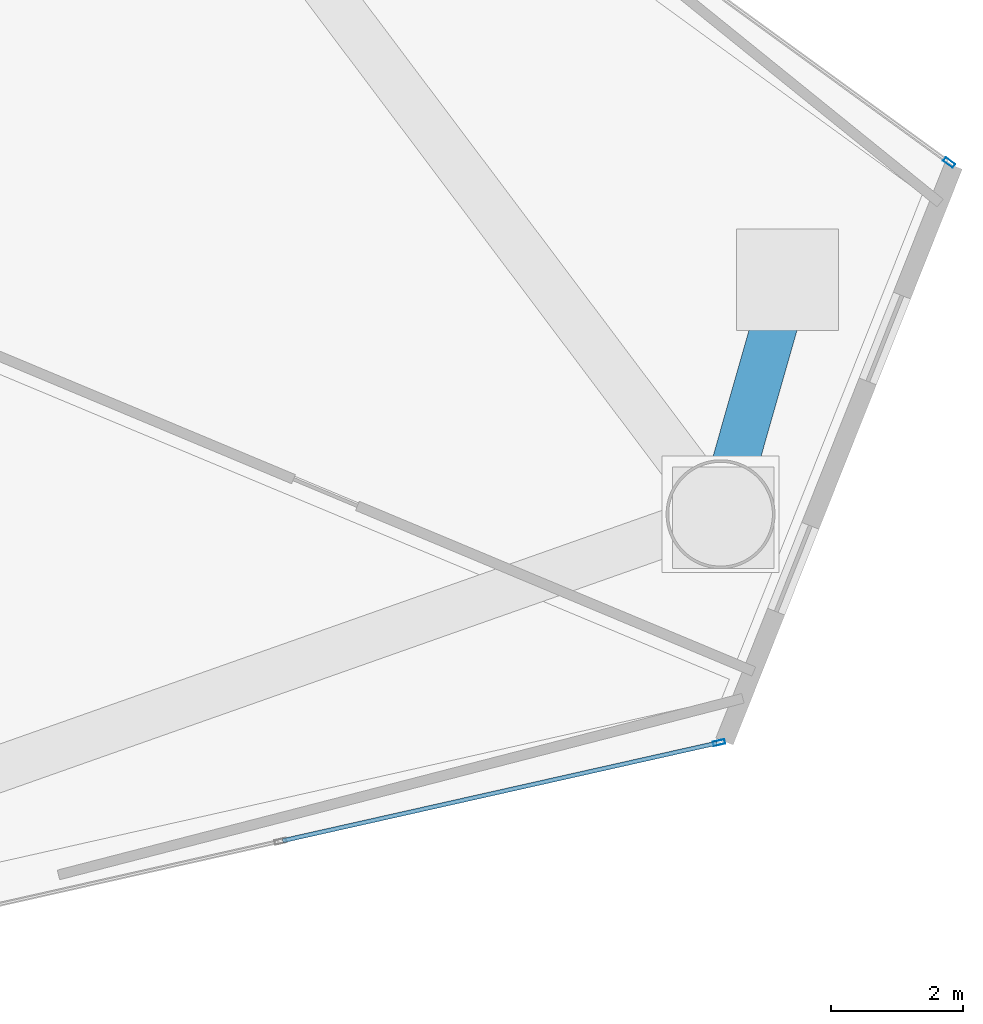
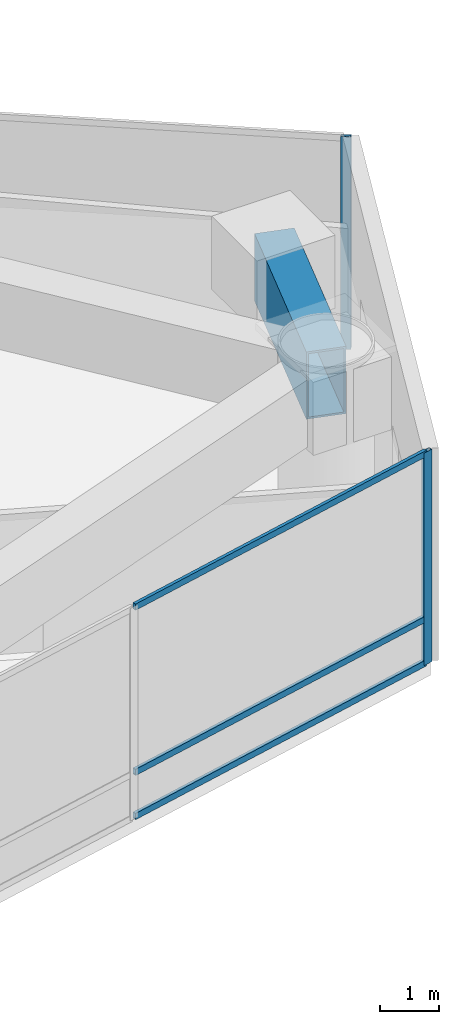
# One storey, part 12 of 22: 5 members, 1 beam, 2 elements without a shape of their own.
"""IFC4 building model written with IfcOpenShell, lengths in metres."""

from ifc_helpers import new_model, si_unit, direction, frame, origin, origin_2d, place, context, subcontext, project, spatial, hollow_rectangle, extrude, material, layer, layer_set, material_profile, profile_set, type_object, element, aggregate, save


model = new_model("IFC4")

# Units and contexts
model_context = context("Model", 3, precision=1e-05, world=origin(), true_north=direction((0.0, 1.0)))
body_context = subcontext(model_context, "Body", "Model", "MODEL_VIEW")
ifc_project = project(units=[si_unit("LENGTHUNIT", "METRE"), si_unit("AREAUNIT", "SQUARE_METRE"), si_unit("VOLUMEUNIT", "CUBIC_METRE"), si_unit("PLANEANGLEUNIT", "RADIAN"), si_unit("MASSUNIT", "GRAM", prefix="KILO")], contexts=[model_context])

# Site, building, storey
site_placement = place(None, origin())
site = spatial("IfcSite", under=ifc_project, at=site_placement, CompositionType="ELEMENT")
building_placement = place(site_placement, origin())
building = spatial("IfcBuilding", under=site, at=building_placement, Name="Qianvela Tower", CompositionType="ELEMENT")
storey_placement = place(building_placement, frame((0.0, 0.0, 93.199951171875)))
storey = spatial("IfcBuildingStorey", under=building, at=storey_placement, Name="L23", CompositionType="ELEMENT", Elevation=93.199951171875)

# Beam
ifc_material_1 = material(Name="Steel Q420GJC", Category="steel")
ifc_material_profile_1 = material_profile(ifc_material_1, hollow_rectangle(XDim=0.699951171875, YDim=1.39990234375, WallThickness=0.0400390625, at=origin_2d()), Name="TG-BOX-1400x700x40")
ifc_profile_set_1 = profile_set([ifc_material_profile_1], Name="Steel Q420GJC")
beam_type = type_object("IfcBeamType", Name="BM-TG-STEP-1400", PredefinedType="BEAM", material=ifc_profile_set_1)
beam_placement = place(storey_placement, frame((56.198974609375, 20.468017578125, 3.718017578125), z_axis=(0.274205749991, 0.961671049097, 0.0), x_axis=(-0.961671049097, 0.274205749991, 0.0)))
element("IfcBeam", 1, at=beam_placement, inside=storey, type_object=beam_type, Name="L23 Zone-Step Transfer Girder 1", PredefinedType="BEAM", context=body_context, shape_type="SweptSolid", body=[
    extrude(hollow_rectangle(XDim=0.699951171875, YDim=1.39990234375, WallThickness=0.0400390625, at=origin_2d()), origin(), (0.0, 0.0, 1.0), 3.629150390625),
])

# Curtain wall, member
ifc_material_2 = material(Name="Anodised Architectural Aluminium and Low-E Glass", Category="aluminium")
ifc_layer = layer(ifc_material_2, 0.179931640625)
ifc_layer_set = layer_set([ifc_layer], Name="Anodised Architectural Aluminium and Low-E Glass")
curtain_wall_type = type_object("IfcCurtainWallType", Name="CW-COLIV-Z12", PredefinedType="USERDEFINED", material=ifc_layer_set)
curtain_wall_1_placement = place(storey_placement, origin())
curtain_wall_1 = element("IfcCurtainWall", 2, at=curtain_wall_1_placement, inside=storey, type_object=curtain_wall_type, Name="L23 CW-COLIV-Z12 Curtain Wall 02A", ObjectType="CURTAIN_WALL_SYSTEM", PredefinedType="USERDEFINED")
ifc_material_3 = material(Name="Anodised Architectural Aluminium 6063-T6", Category="aluminium")
ifc_material_profile_2 = material_profile(ifc_material_3, hollow_rectangle(XDim=0.070068359375, YDim=0.179931640625, WallThickness=0.0048828125, at=origin_2d()), Name="ALU-MULL-70x180")
ifc_profile_set_2 = profile_set([ifc_material_profile_2], Name="Anodised Architectural Aluminium 6063-T6")
member_type_1 = type_object("IfcMemberType", Name="CW-COLIV-Z12-MULL", PredefinedType="MULLION", material=ifc_profile_set_2)
member_1_placement = place(storey_placement, frame((59.659912109375, 25.79443359375, 0.0), z_axis=(0.0, 0.0, 1.0), x_axis=(-0.588253024297, -0.808676931417, 0.0)))
member_1 = element("IfcMember", 3, at=member_1_placement, type_object=member_type_1, Name="CW-3 mullion 1", PredefinedType="MULLION", context=body_context, shape_type="SweptSolid", body=[
    extrude(hollow_rectangle(XDim=0.070068359375, YDim=0.179931640625, WallThickness=0.0048828125, at=origin_2d()), origin(), (0.0, 0.0, 1.0), 4.420166015625),
])
aggregate(curtain_wall_1, [member_1])

# Curtain wall, members
curtain_wall_2_placement = place(storey_placement, origin())
curtain_wall_2 = element("IfcCurtainWall", 4, at=curtain_wall_2_placement, inside=storey, type_object=curtain_wall_type, Name="L23 CW-COLIV-Z12 Curtain Wall 06C", ObjectType="CURTAIN_WALL_SYSTEM", PredefinedType="USERDEFINED")
member_2_placement = place(storey_placement, frame((56.17626953125, 17.0087890625, 0.0), z_axis=(0.0, 0.0, 1.0), x_axis=(-0.219386838607, 0.975637952852, 0.0)))
member_2 = element("IfcMember", 5, at=member_2_placement, type_object=member_type_1, Name="CW-3 mullion 3", PredefinedType="MULLION", context=body_context, shape_type="SweptSolid", body=[
    extrude(hollow_rectangle(XDim=0.070068359375, YDim=0.179931640625, WallThickness=0.0048828125, at=origin_2d()), origin(), (0.0, 0.0, 1.0), 4.420166015625),
])
ifc_material_4 = material(Name="Anodised Architectural Aluminium 6063-T6", Category="aluminium")
ifc_material_profile_3 = material_profile(ifc_material_4, hollow_rectangle(XDim=0.06494140625, YDim=0.1298828125, WallThickness=0.00439453125, at=origin_2d()), Name="ALU-TRAN-65x130")
ifc_profile_set_3 = profile_set([ifc_material_profile_3], Name="Anodised Architectural Aluminium 6063-T6")
member_type_2 = type_object("IfcMemberType", Name="CW-COLIV-Z12-TRAN", PredefinedType="USERDEFINED", material=ifc_profile_set_3)
member_3_placement = place(storey_placement, frame((49.568115234375, 15.522705078125, 0.032470703125), z_axis=(0.975637488619, 0.219388903093, 0.0), x_axis=(-0.219388903093, 0.975637488619, 0.0)))
member_3 = element("IfcMember", 6, at=member_3_placement, type_object=member_type_2, Name="CW-3 transom 2.1", ObjectType="TRANSOM", PredefinedType="USERDEFINED", context=body_context, shape_type="SweptSolid", body=[
    extrude(hollow_rectangle(XDim=0.06494140625, YDim=0.1298828125, WallThickness=0.00439453125, at=origin_2d()), origin(), (0.0, 0.0, 1.0), 6.738037109375),
])
member_4_placement = place(storey_placement, frame((49.568115234375, 15.522705078125, 0.949951171875), z_axis=(0.975637488619, 0.219388903093, 0.0), x_axis=(-0.219388903093, 0.975637488619, 0.0)))
member_4 = element("IfcMember", 7, at=member_4_placement, type_object=member_type_2, Name="CW-3 transom 2.2", ObjectType="TRANSOM", PredefinedType="USERDEFINED", context=body_context, shape_type="SweptSolid", body=[
    extrude(hollow_rectangle(XDim=0.06494140625, YDim=0.1298828125, WallThickness=0.00439453125, at=origin_2d()), origin(), (0.0, 0.0, 1.0), 6.738037109375),
])
member_5_placement = place(storey_placement, frame((49.568115234375, 15.522705078125, 4.387451171875), z_axis=(0.975637488619, 0.219388903093, 0.0), x_axis=(-0.219388903093, 0.975637488619, 0.0)))
member_5 = element("IfcMember", 8, at=member_5_placement, type_object=member_type_2, Name="CW-3 transom 2.3", ObjectType="TRANSOM", PredefinedType="USERDEFINED", context=body_context, shape_type="SweptSolid", body=[
    extrude(hollow_rectangle(XDim=0.06494140625, YDim=0.1298828125, WallThickness=0.00439453125, at=origin_2d()), origin(), (0.0, 0.0, 1.0), 6.738037109375),
])
aggregate(curtain_wall_2, [member_2, member_3, member_4, member_5])

save(model, "model.ifc")
